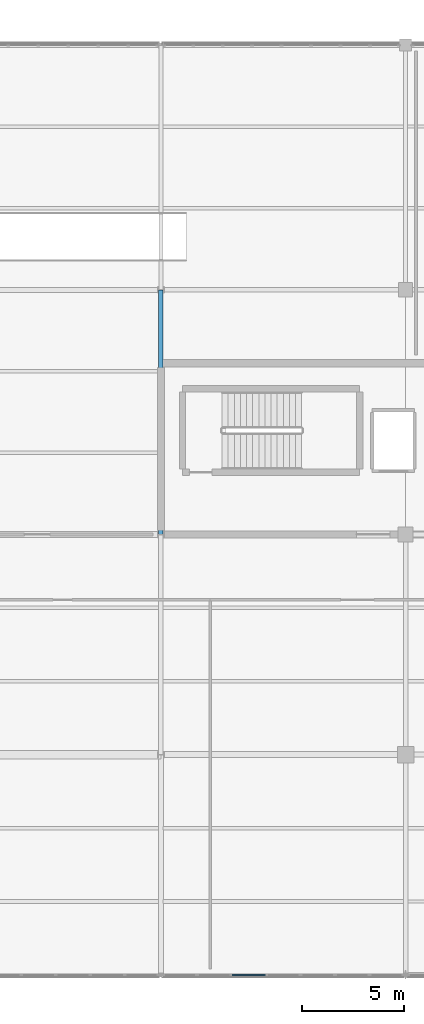
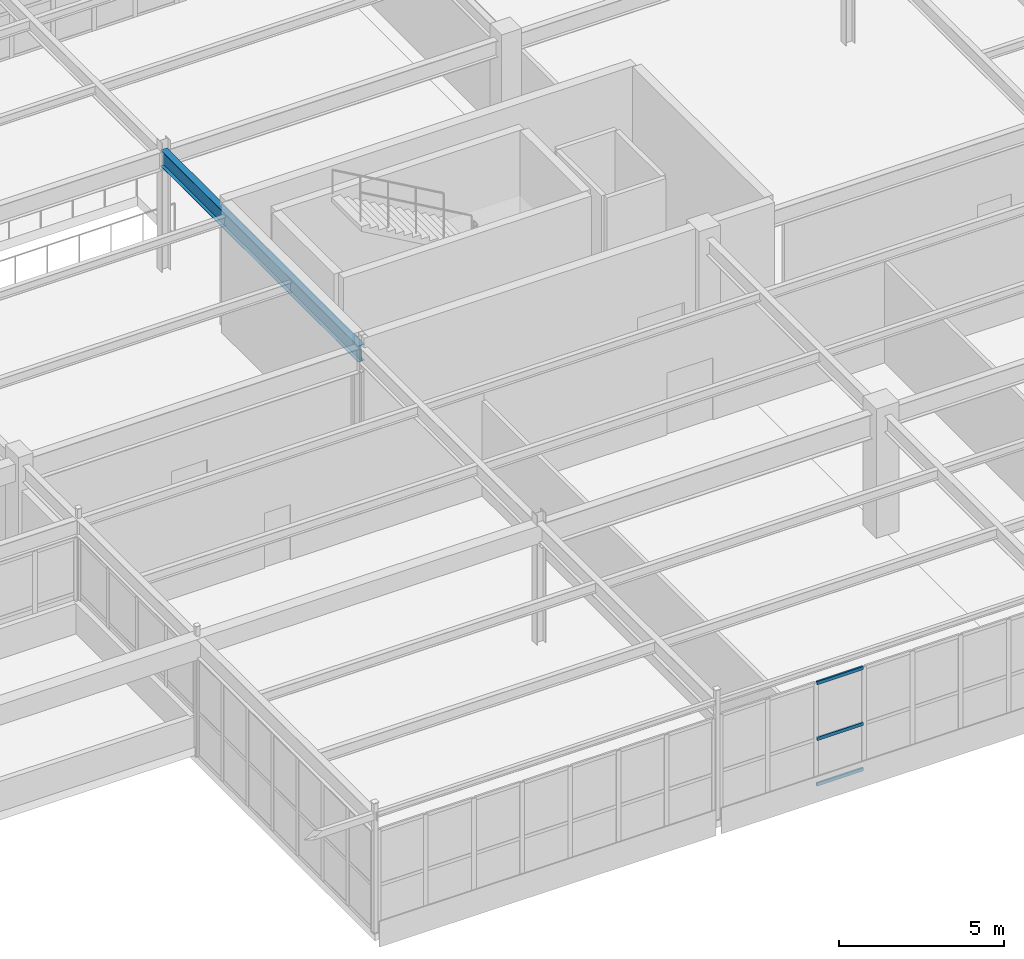
# One storey, part 109 of 226: 3 members, 1 beam, 1 element without a shape of its own.
"""IFC4 building model written with IfcOpenShell, lengths in metres."""

from ifc_helpers import new_model, si_unit, direction, frame, origin, origin_2d, place, context, subcontext, project, spatial, rectangle, i_section, extrude, material, layer, layer_set, material_profile, profile_set, type_object, element, aggregate, save


model = new_model("IFC4")

# Units and contexts
model_context = context("Model", 3, precision=1e-05, world=origin(), true_north=direction((0.0, 1.0)))
body_context = subcontext(model_context, "Body", "Model", "MODEL_VIEW")
ifc_project = project(units=[si_unit("LENGTHUNIT", "METRE"), si_unit("AREAUNIT", "SQUARE_METRE"), si_unit("VOLUMEUNIT", "CUBIC_METRE"), si_unit("PLANEANGLEUNIT", "RADIAN"), si_unit("MASSUNIT", "GRAM", prefix="KILO")], contexts=[model_context])

# Site, building, storey
site_placement = place(None, origin())
site = spatial("IfcSite", under=ifc_project, at=site_placement, CompositionType="ELEMENT")
building_placement = place(site_placement, origin())
building = spatial("IfcBuilding", under=site, at=building_placement, Name="Tarnwether General Hospital", CompositionType="ELEMENT")
storey_placement = place(building_placement, frame((0.0, 0.0, 4.800048828125)))
storey = spatial("IfcBuildingStorey", under=building, at=storey_placement, Name="L01", CompositionType="ELEMENT", Elevation=4.800048828125)

# Beam
ifc_material_1 = material(Name="Steel Grade 350 (350 MPa)", Category="steel")
ifc_material_profile_1 = material_profile(ifc_material_1, i_section(OverallWidth=0.22802734375, OverallDepth=0.60205078125, WebThickness=0.010498046875, FlangeThickness=0.014892578125, at=origin_2d()), Name="610UB101")
ifc_profile_set_1 = profile_set([ifc_material_profile_1], Name="Steel Grade 350 (350 MPa)")
beam_type = type_object("IfcBeamType", Name="BM-G05", PredefinedType="BEAM", material=ifc_profile_set_1)
beam_placement = place(storey_placement, frame((156.0, 21.60009765625, 4.14404296875), z_axis=(0.0, 1.0, 0.0), x_axis=(-1.0, 0.0, 0.0)))
element("IfcBeam", 1, at=beam_placement, inside=storey, type_object=beam_type, Name="Primary Girder BMG-L01-15600_2160-15600_3360-1236", PredefinedType="BEAM", context=body_context, shape_type="SweptSolid", body=[
    extrude(i_section(OverallWidth=0.22802734375, OverallDepth=0.60205078125, WebThickness=0.010498046875, FlangeThickness=0.014892578125, at=origin_2d()), origin(), (0.0, 0.0, 1.0), 12.0),
])

# Curtain wall, members
ifc_material_2 = material(Name="Anodised aluminium", Category="aluminium")
ifc_layer = layer(ifc_material_2, 0.159912109375)
ifc_layer_set = layer_set([ifc_layer], Name="Anodised aluminium")
curtain_wall_type = type_object("IfcCurtainWallType", Name="CW-19", PredefinedType="NOTDEFINED", material=ifc_layer_set)
curtain_wall_placement = place(storey_placement, origin())
curtain_wall = element("IfcCurtainWall", 2, at=curtain_wall_placement, inside=storey, type_object=curtain_wall_type, Name="Curtain Wall CWG-L01-1679_0-0385", PredefinedType="NOTDEFINED")
ifc_material_3 = material(Name="Anodised aluminium", Category="aluminium")
ifc_material_profile_2 = material_profile(ifc_material_3, rectangle(XDim=0.06005859375, YDim=0.1201171875, at=origin_2d()), Name="ALU-TRN-60x120")
ifc_profile_set_2 = profile_set([ifc_material_profile_2], Name="Anodised aluminium")
member_type = type_object("IfcMemberType", Name="CW-TR1", PredefinedType="USERDEFINED", material=ifc_profile_set_2)
member_1_placement = place(storey_placement, frame((161.124267578125, 0.0, 0.030029296875), z_axis=(-1.0, 0.0, 0.0), x_axis=(0.0, -1.0, 0.0)))
member_1 = element("IfcMember", 3, at=member_1_placement, type_object=member_type, Name="CW-19 transom 5.1", ObjectType="TRANSOM", PredefinedType="USERDEFINED", context=body_context, shape_type="SweptSolid", body=[
    extrude(rectangle(XDim=0.06005859375, YDim=0.1201171875, at=origin_2d()), origin(), (0.0, 0.0, 1.0), 1.63037109375),
])
member_2_placement = place(storey_placement, frame((161.124267578125, 0.0, 1.718017578125), z_axis=(-1.0, 0.0, 0.0), x_axis=(0.0, -1.0, 0.0)))
member_2 = element("IfcMember", 4, at=member_2_placement, type_object=member_type, Name="CW-19 transom 5.2", ObjectType="TRANSOM", PredefinedType="USERDEFINED", context=body_context, shape_type="SweptSolid", body=[
    extrude(rectangle(XDim=0.06005859375, YDim=0.1201171875, at=origin_2d()), origin(), (0.0, 0.0, 1.0), 1.63037109375),
])
member_3_placement = place(storey_placement, frame((161.124267578125, 0.0, 3.787841796875), z_axis=(-1.0, 0.0, 0.0), x_axis=(0.0, -1.0, 0.0)))
member_3 = element("IfcMember", 5, at=member_3_placement, type_object=member_type, Name="CW-19 transom 5.3", ObjectType="TRANSOM", PredefinedType="USERDEFINED", context=body_context, shape_type="SweptSolid", body=[
    extrude(rectangle(XDim=0.06005859375, YDim=0.1201171875, at=origin_2d()), origin(), (0.0, 0.0, 1.0), 1.63037109375),
])
aggregate(curtain_wall, [member_1, member_2, member_3])

save(model, "model.ifc")
